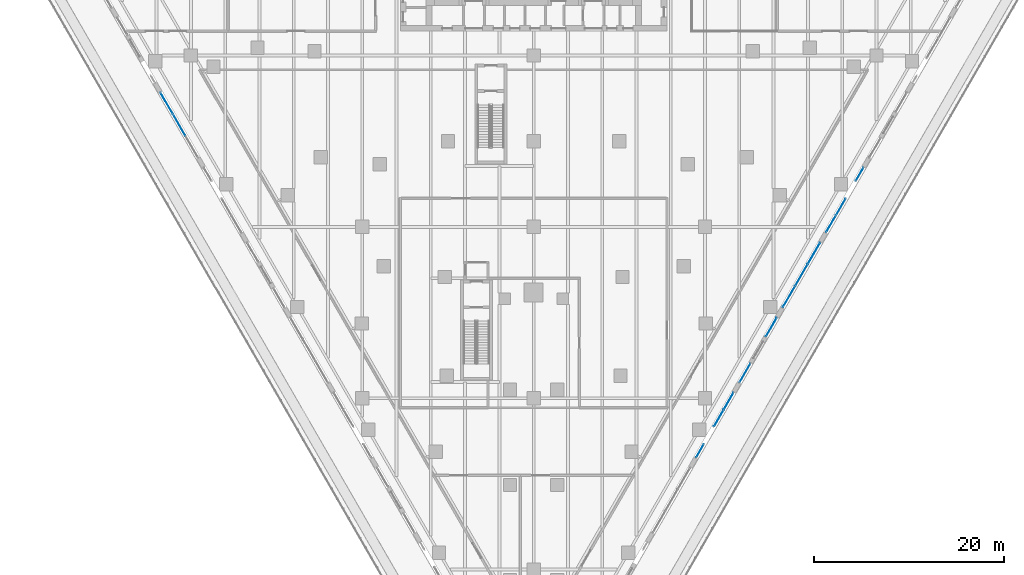
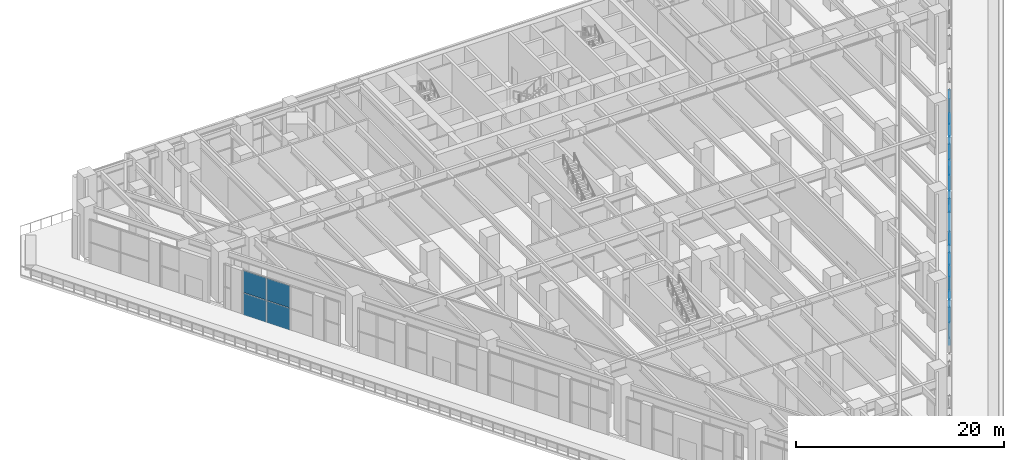
# One storey, part 24 of 40: 26 plates, 8 elements without a shape of their own.
"""IFC4 building model written with IfcOpenShell, lengths in metres."""

from ifc_helpers import new_model, si_unit, direction, frame, origin, origin_2d, place, context, subcontext, project, spatial, rectangle, extrude, material, layer, layer_set, type_object, element, aggregate, save


model = new_model("IFC4")

# Units and contexts
model_context = context("Model", 3, precision=1e-05, world=origin(), true_north=direction((0.0, 1.0)))
body_context = subcontext(model_context, "Body", "Model", "MODEL_VIEW")
ifc_project = project(units=[si_unit("LENGTHUNIT", "METRE"), si_unit("AREAUNIT", "SQUARE_METRE"), si_unit("VOLUMEUNIT", "CUBIC_METRE"), si_unit("PLANEANGLEUNIT", "RADIAN"), si_unit("MASSUNIT", "GRAM", prefix="KILO")], contexts=[model_context])

# Site, building, storey
site_placement = place(None, origin())
site = spatial("IfcSite", under=ifc_project, at=site_placement, CompositionType="ELEMENT")
building_placement = place(site_placement, origin())
building = spatial("IfcBuilding", under=site, at=building_placement, Name="Aloe Facet Convention Tower", CompositionType="ELEMENT")
storey_placement = place(building_placement, frame((0.0, 0.0, 13.5)))
storey = spatial("IfcBuildingStorey", under=building, at=storey_placement, Name="L02", CompositionType="ELEMENT", Elevation=13.5)

# Curtain wall, plates
ifc_material_1 = material(Name="Aluminium, anodised", Category="aluminium")
curtain_wall_type = type_object("IfcCurtainWallType", Name="EV-CW-HALL", PredefinedType="USERDEFINED", material=ifc_material_1)
curtain_wall_1_placement = place(storey_placement, origin())
curtain_wall_1 = element("IfcCurtainWall", 1, at=curtain_wall_1_placement, inside=storey, type_object=curtain_wall_type, Name="CW-L02-W06", ObjectType="UNITISED HALL GLAZING", PredefinedType="USERDEFINED")
ifc_material_2 = material(Name="Clear double glazing", Category="glass")
ifc_layer = layer(ifc_material_2, 0.035888671875)
ifc_layer_set = layer_set([ifc_layer], Name="EV-PANEL-HALL")
plate_type = type_object("IfcPlateType", Name="EV-PANEL-HALL", PredefinedType="CURTAIN_PANEL", material=ifc_layer_set)
plate_1_placement = place(storey_placement, frame((41.466064453125, 111.96337890625, -0.23486328125), z_axis=(0.0, 0.0, 1.0), x_axis=(0.499999999985, -0.866025403793, 0.0)))
plate_1 = element("IfcPlate", 2, at=plate_1_placement, type_object=plate_type, Name="CW-L02-W06 panel 1.1", PredefinedType="CURTAIN_PANEL", context=body_context, shape_type="SweptSolid", body=[
    extrude(rectangle(XDim=2.535400390625, YDim=0.035888671875, at=origin_2d()), origin(), (0.0, 0.0, 1.0), 2.583740234375),
])
plate_2_placement = place(storey_placement, frame((41.466064453125, 111.96337890625, 2.41357421875), z_axis=(0.0, 0.0, 1.0), x_axis=(0.499999999985, -0.866025403793, 0.0)))
plate_2 = element("IfcPlate", 3, at=plate_2_placement, type_object=plate_type, Name="CW-L02-W06 panel 1.2", PredefinedType="CURTAIN_PANEL", context=body_context, shape_type="SweptSolid", body=[
    extrude(rectangle(XDim=2.535400390625, YDim=0.035888671875, at=origin_2d()), origin(), (0.0, 0.0, 1.0), 2.583740234375),
])
plate_3_placement = place(storey_placement, frame((42.7744140625, 109.697265625, -0.23486328125), z_axis=(0.0, 0.0, 1.0), x_axis=(0.499999999985, -0.866025403793, 0.0)))
plate_3 = element("IfcPlate", 4, at=plate_3_placement, type_object=plate_type, Name="CW-L02-W06 panel 2.1", PredefinedType="CURTAIN_PANEL", context=body_context, shape_type="SweptSolid", body=[
    extrude(rectangle(XDim=2.56787109375, YDim=0.035888671875, at=origin_2d()), origin(), (0.0, 0.0, 1.0), 2.583740234375),
])
plate_4_placement = place(storey_placement, frame((42.7744140625, 109.697265625, 2.41357421875), z_axis=(0.0, 0.0, 1.0), x_axis=(0.499999999985, -0.866025403793, 0.0)))
plate_4 = element("IfcPlate", 5, at=plate_4_placement, type_object=plate_type, Name="CW-L02-W06 panel 2.2", PredefinedType="CURTAIN_PANEL", context=body_context, shape_type="SweptSolid", body=[
    extrude(rectangle(XDim=2.56787109375, YDim=0.035888671875, at=origin_2d()), origin(), (0.0, 0.0, 1.0), 2.583740234375),
])
aggregate(curtain_wall_1, [plate_1, plate_2, plate_3, plate_4])

curtain_wall_2_placement = place(storey_placement, origin())
curtain_wall_2 = element("IfcCurtainWall", 6, at=curtain_wall_2_placement, inside=storey, type_object=curtain_wall_type, Name="CW-L02-E08-1", ObjectType="UNITISED HALL GLAZING", PredefinedType="USERDEFINED")
plate_5_placement = place(storey_placement, frame((97.472900390625, 75.484375, -0.23486328125), z_axis=(0.0, 0.0, 1.0), x_axis=(0.500000000091, 0.866025403732, 0.0)))
plate_5 = element("IfcPlate", 7, at=plate_5_placement, type_object=plate_type, Name="CW-L02-E08-1 panel 1.1", PredefinedType="CURTAIN_PANEL", context=body_context, shape_type="SweptSolid", body=[
    extrude(rectangle(XDim=1.548095703125, YDim=0.035888671875, at=origin_2d()), origin(), (0.0, 0.0, 1.0), 2.583740234375),
])
plate_6_placement = place(storey_placement, frame((97.472900390625, 75.484375, 2.41357421875), z_axis=(0.0, 0.0, 1.0), x_axis=(0.500000000091, 0.866025403732, 0.0)))
plate_6 = element("IfcPlate", 8, at=plate_6_placement, type_object=plate_type, Name="CW-L02-E08-1 panel 1.2", PredefinedType="CURTAIN_PANEL", context=body_context, shape_type="SweptSolid", body=[
    extrude(rectangle(XDim=1.548095703125, YDim=0.035888671875, at=origin_2d()), origin(), (0.0, 0.0, 1.0), 2.583740234375),
])
aggregate(curtain_wall_2, [plate_5, plate_6])

curtain_wall_3_placement = place(storey_placement, origin())
curtain_wall_3 = element("IfcCurtainWall", 9, at=curtain_wall_3_placement, inside=storey, type_object=curtain_wall_type, Name="CW-L02-E08-2", ObjectType="UNITISED HALL GLAZING", PredefinedType="USERDEFINED")
plate_7_placement = place(storey_placement, frame((99.446533203125, 78.90283203125, -0.23486328125), z_axis=(0.0, 0.0, 1.0), x_axis=(0.49999999994, 0.866025403819, 0.0)))
plate_7 = element("IfcPlate", 10, at=plate_7_placement, type_object=plate_type, Name="CW-L02-E08-2 panel 1.1", PredefinedType="CURTAIN_PANEL", context=body_context, shape_type="SweptSolid", body=[
    extrude(rectangle(XDim=1.98828125, YDim=0.035888671875, at=origin_2d()), origin(), (0.0, 0.0, 1.0), 2.583740234375),
])
plate_8_placement = place(storey_placement, frame((99.446533203125, 78.90283203125, 2.41357421875), z_axis=(0.0, 0.0, 1.0), x_axis=(0.49999999994, 0.866025403819, 0.0)))
plate_8 = element("IfcPlate", 11, at=plate_8_placement, type_object=plate_type, Name="CW-L02-E08-2 panel 1.2", PredefinedType="CURTAIN_PANEL", context=body_context, shape_type="SweptSolid", body=[
    extrude(rectangle(XDim=1.98828125, YDim=0.035888671875, at=origin_2d()), origin(), (0.0, 0.0, 1.0), 2.583740234375),
])
plate_9_placement = place(storey_placement, frame((100.47314453125, 80.68115234375, -0.23486328125), z_axis=(0.0, 0.0, 1.0), x_axis=(0.49999999994, 0.866025403819, 0.0)))
plate_9 = element("IfcPlate", 12, at=plate_9_placement, type_object=plate_type, Name="CW-L02-E08-2 panel 2.1", PredefinedType="CURTAIN_PANEL", context=body_context, shape_type="SweptSolid", body=[
    extrude(rectangle(XDim=1.98828125, YDim=0.035888671875, at=origin_2d()), origin(), (0.0, 0.0, 1.0), 2.583740234375),
])
plate_10_placement = place(storey_placement, frame((100.47314453125, 80.68115234375, 2.41357421875), z_axis=(0.0, 0.0, 1.0), x_axis=(0.49999999994, 0.866025403819, 0.0)))
plate_10 = element("IfcPlate", 13, at=plate_10_placement, type_object=plate_type, Name="CW-L02-E08-2 panel 2.2", PredefinedType="CURTAIN_PANEL", context=body_context, shape_type="SweptSolid", body=[
    extrude(rectangle(XDim=1.98828125, YDim=0.035888671875, at=origin_2d()), origin(), (0.0, 0.0, 1.0), 2.583740234375),
])
aggregate(curtain_wall_3, [plate_7, plate_8, plate_9, plate_10])

curtain_wall_4_placement = place(storey_placement, origin())
curtain_wall_4 = element("IfcCurtainWall", 14, at=curtain_wall_4_placement, inside=storey, type_object=curtain_wall_type, Name="CW-L02-E10A", ObjectType="UNITISED HALL GLAZING", PredefinedType="USERDEFINED")
plate_11_placement = place(storey_placement, frame((102.190185546875, 83.65478515625, -0.23486328125), z_axis=(0.0, 0.0, 1.0), x_axis=(0.500000000227, 0.866025403654, 0.0)))
plate_11 = element("IfcPlate", 15, at=plate_11_placement, type_object=plate_type, Name="CW-L02-E10A panel 1.1", PredefinedType="CURTAIN_PANEL", context=body_context, shape_type="SweptSolid", body=[
    extrude(rectangle(XDim=2.219482421875, YDim=0.035888671875, at=origin_2d()), origin(), (0.0, 0.0, 1.0), 2.583740234375),
])
plate_12_placement = place(storey_placement, frame((102.190185546875, 83.65478515625, 2.41357421875), z_axis=(0.0, 0.0, 1.0), x_axis=(0.500000000227, 0.866025403654, 0.0)))
plate_12 = element("IfcPlate", 16, at=plate_12_placement, type_object=plate_type, Name="CW-L02-E10A panel 1.2", PredefinedType="CURTAIN_PANEL", context=body_context, shape_type="SweptSolid", body=[
    extrude(rectangle(XDim=2.219482421875, YDim=0.035888671875, at=origin_2d()), origin(), (0.0, 0.0, 1.0), 2.583740234375),
])
aggregate(curtain_wall_4, [plate_11, plate_12])

curtain_wall_5_placement = place(storey_placement, origin())
curtain_wall_5 = element("IfcCurtainWall", 17, at=curtain_wall_5_placement, inside=storey, type_object=curtain_wall_type, Name="CW-L02-E10B", ObjectType="UNITISED HALL GLAZING", PredefinedType="USERDEFINED")
plate_13_placement = place(storey_placement, frame((104.96484375, 88.4609375, -0.23486328125), z_axis=(0.0, 0.0, 1.0), x_axis=(0.499999999909, 0.866025403837, 0.0)))
plate_13 = element("IfcPlate", 18, at=plate_13_placement, type_object=plate_type, Name="CW-L02-E10B panel 1.1", PredefinedType="CURTAIN_PANEL", context=body_context, shape_type="SweptSolid", body=[
    extrude(rectangle(XDim=2.219482421875, YDim=0.035888671875, at=origin_2d()), origin(), (0.0, 0.0, 1.0), 2.583740234375),
])
plate_14_placement = place(storey_placement, frame((104.96484375, 88.4609375, 2.41357421875), z_axis=(0.0, 0.0, 1.0), x_axis=(0.499999999909, 0.866025403837, 0.0)))
plate_14 = element("IfcPlate", 19, at=plate_14_placement, type_object=plate_type, Name="CW-L02-E10B panel 1.2", PredefinedType="CURTAIN_PANEL", context=body_context, shape_type="SweptSolid", body=[
    extrude(rectangle(XDim=2.219482421875, YDim=0.035888671875, at=origin_2d()), origin(), (0.0, 0.0, 1.0), 2.583740234375),
])
aggregate(curtain_wall_5, [plate_13, plate_14])

curtain_wall_6_placement = place(storey_placement, origin())
curtain_wall_6 = element("IfcCurtainWall", 20, at=curtain_wall_6_placement, inside=storey, type_object=curtain_wall_type, Name="CW-L02-E12", ObjectType="UNITISED HALL GLAZING", PredefinedType="USERDEFINED")
plate_15_placement = place(storey_placement, frame((106.818603515625, 91.671630859375, -0.23486328125), z_axis=(0.0, 0.0, 1.0), x_axis=(0.500000000045, 0.866025403758, 0.0)))
plate_15 = element("IfcPlate", 21, at=plate_15_placement, type_object=plate_type, Name="CW-L02-E12 panel 1.1", PredefinedType="CURTAIN_PANEL", context=body_context, shape_type="SweptSolid", body=[
    extrude(rectangle(XDim=2.535400390625, YDim=0.035888671875, at=origin_2d()), origin(), (0.0, 0.0, 1.0), 2.583740234375),
])
plate_16_placement = place(storey_placement, frame((106.818603515625, 91.671630859375, 2.41357421875), z_axis=(0.0, 0.0, 1.0), x_axis=(0.500000000045, 0.866025403758, 0.0)))
plate_16 = element("IfcPlate", 22, at=plate_16_placement, type_object=plate_type, Name="CW-L02-E12 panel 1.2", PredefinedType="CURTAIN_PANEL", context=body_context, shape_type="SweptSolid", body=[
    extrude(rectangle(XDim=2.535400390625, YDim=0.035888671875, at=origin_2d()), origin(), (0.0, 0.0, 1.0), 2.583740234375),
])
plate_17_placement = place(storey_placement, frame((108.126953125, 93.937744140625, -0.23486328125), z_axis=(0.0, 0.0, 1.0), x_axis=(0.500000000045, 0.866025403758, 0.0)))
plate_17 = element("IfcPlate", 23, at=plate_17_placement, type_object=plate_type, Name="CW-L02-E12 panel 2.1", PredefinedType="CURTAIN_PANEL", context=body_context, shape_type="SweptSolid", body=[
    extrude(rectangle(XDim=2.56787109375, YDim=0.035888671875, at=origin_2d()), origin(), (0.0, 0.0, 1.0), 2.583740234375),
])
plate_18_placement = place(storey_placement, frame((108.126953125, 93.937744140625, 2.41357421875), z_axis=(0.0, 0.0, 1.0), x_axis=(0.500000000045, 0.866025403758, 0.0)))
plate_18 = element("IfcPlate", 24, at=plate_18_placement, type_object=plate_type, Name="CW-L02-E12 panel 2.2", PredefinedType="CURTAIN_PANEL", context=body_context, shape_type="SweptSolid", body=[
    extrude(rectangle(XDim=2.56787109375, YDim=0.035888671875, at=origin_2d()), origin(), (0.0, 0.0, 1.0), 2.583740234375),
])
plate_19_placement = place(storey_placement, frame((109.435302734375, 96.203857421875, -0.23486328125), z_axis=(0.0, 0.0, 1.0), x_axis=(0.500000000045, 0.866025403758, 0.0)))
plate_19 = element("IfcPlate", 25, at=plate_19_placement, type_object=plate_type, Name="CW-L02-E12 panel 3.1", PredefinedType="CURTAIN_PANEL", context=body_context, shape_type="SweptSolid", body=[
    extrude(rectangle(XDim=2.535400390625, YDim=0.035888671875, at=origin_2d()), origin(), (0.0, 0.0, 1.0), 2.583740234375),
])
plate_20_placement = place(storey_placement, frame((109.435302734375, 96.203857421875, 2.41357421875), z_axis=(0.0, 0.0, 1.0), x_axis=(0.500000000045, 0.866025403758, 0.0)))
plate_20 = element("IfcPlate", 26, at=plate_20_placement, type_object=plate_type, Name="CW-L02-E12 panel 3.2", PredefinedType="CURTAIN_PANEL", context=body_context, shape_type="SweptSolid", body=[
    extrude(rectangle(XDim=2.535400390625, YDim=0.035888671875, at=origin_2d()), origin(), (0.0, 0.0, 1.0), 2.583740234375),
])
aggregate(curtain_wall_6, [plate_15, plate_16, plate_17, plate_18, plate_19, plate_20])

curtain_wall_7_placement = place(storey_placement, origin())
curtain_wall_7 = element("IfcCurtainWall", 27, at=curtain_wall_7_placement, inside=storey, type_object=curtain_wall_type, Name="CW-L02-E14-1", ObjectType="UNITISED HALL GLAZING", PredefinedType="USERDEFINED")
plate_21_placement = place(storey_placement, frame((111.231201171875, 99.314453125, -0.23486328125), z_axis=(0.0, 0.0, 1.0), x_axis=(0.499999999864, 0.866025403863, 0.0)))
plate_21 = element("IfcPlate", 28, at=plate_21_placement, type_object=plate_type, Name="CW-L02-E14-1 panel 1.1", PredefinedType="CURTAIN_PANEL", context=body_context, shape_type="SweptSolid", body=[
    extrude(rectangle(XDim=1.988525390625, YDim=0.035888671875, at=origin_2d()), origin(), (0.0, 0.0, 1.0), 2.583740234375),
])
plate_22_placement = place(storey_placement, frame((111.231201171875, 99.314453125, 2.41357421875), z_axis=(0.0, 0.0, 1.0), x_axis=(0.499999999864, 0.866025403863, 0.0)))
plate_22 = element("IfcPlate", 29, at=plate_22_placement, type_object=plate_type, Name="CW-L02-E14-1 panel 1.2", PredefinedType="CURTAIN_PANEL", context=body_context, shape_type="SweptSolid", body=[
    extrude(rectangle(XDim=1.988525390625, YDim=0.035888671875, at=origin_2d()), origin(), (0.0, 0.0, 1.0), 2.583740234375),
])
plate_23_placement = place(storey_placement, frame((112.2578125, 101.0927734375, -0.23486328125), z_axis=(0.0, 0.0, 1.0), x_axis=(0.499999999864, 0.866025403863, 0.0)))
plate_23 = element("IfcPlate", 30, at=plate_23_placement, type_object=plate_type, Name="CW-L02-E14-1 panel 2.1", PredefinedType="CURTAIN_PANEL", context=body_context, shape_type="SweptSolid", body=[
    extrude(rectangle(XDim=1.988525390625, YDim=0.035888671875, at=origin_2d()), origin(), (0.0, 0.0, 1.0), 2.583740234375),
])
plate_24_placement = place(storey_placement, frame((112.2578125, 101.0927734375, 2.41357421875), z_axis=(0.0, 0.0, 1.0), x_axis=(0.499999999864, 0.866025403863, 0.0)))
plate_24 = element("IfcPlate", 31, at=plate_24_placement, type_object=plate_type, Name="CW-L02-E14-1 panel 2.2", PredefinedType="CURTAIN_PANEL", context=body_context, shape_type="SweptSolid", body=[
    extrude(rectangle(XDim=1.988525390625, YDim=0.035888671875, at=origin_2d()), origin(), (0.0, 0.0, 1.0), 2.583740234375),
])
aggregate(curtain_wall_7, [plate_21, plate_22, plate_23, plate_24])

curtain_wall_8_placement = place(storey_placement, origin())
curtain_wall_8 = element("IfcCurtainWall", 32, at=curtain_wall_8_placement, inside=storey, type_object=curtain_wall_type, Name="CW-L02-E14-2", ObjectType="UNITISED HALL GLAZING", PredefinedType="USERDEFINED")
plate_25_placement = place(storey_placement, frame((114.2314453125, 104.51123046875, -0.23486328125), z_axis=(0.0, 0.0, 1.0), x_axis=(0.499999999819, 0.866025403889, 0.0)))
plate_25 = element("IfcPlate", 33, at=plate_25_placement, type_object=plate_type, Name="CW-L02-E14-2 panel 1.1", PredefinedType="CURTAIN_PANEL", context=body_context, shape_type="SweptSolid", body=[
    extrude(rectangle(XDim=1.5478515625, YDim=0.035888671875, at=origin_2d()), origin(), (0.0, 0.0, 1.0), 2.583740234375),
])
plate_26_placement = place(storey_placement, frame((114.2314453125, 104.51123046875, 2.41357421875), z_axis=(0.0, 0.0, 1.0), x_axis=(0.499999999819, 0.866025403889, 0.0)))
plate_26 = element("IfcPlate", 34, at=plate_26_placement, type_object=plate_type, Name="CW-L02-E14-2 panel 1.2", PredefinedType="CURTAIN_PANEL", context=body_context, shape_type="SweptSolid", body=[
    extrude(rectangle(XDim=1.5478515625, YDim=0.035888671875, at=origin_2d()), origin(), (0.0, 0.0, 1.0), 2.583740234375),
])
aggregate(curtain_wall_8, [plate_25, plate_26])

save(model, "model.ifc")
